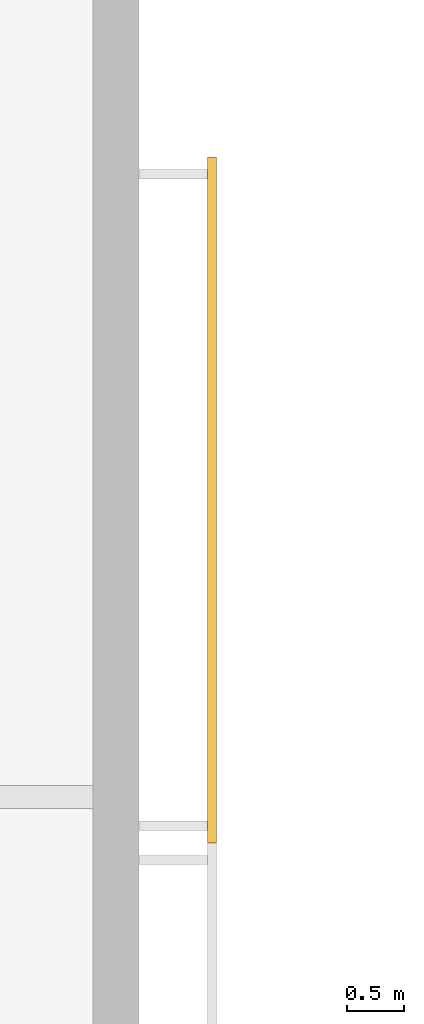
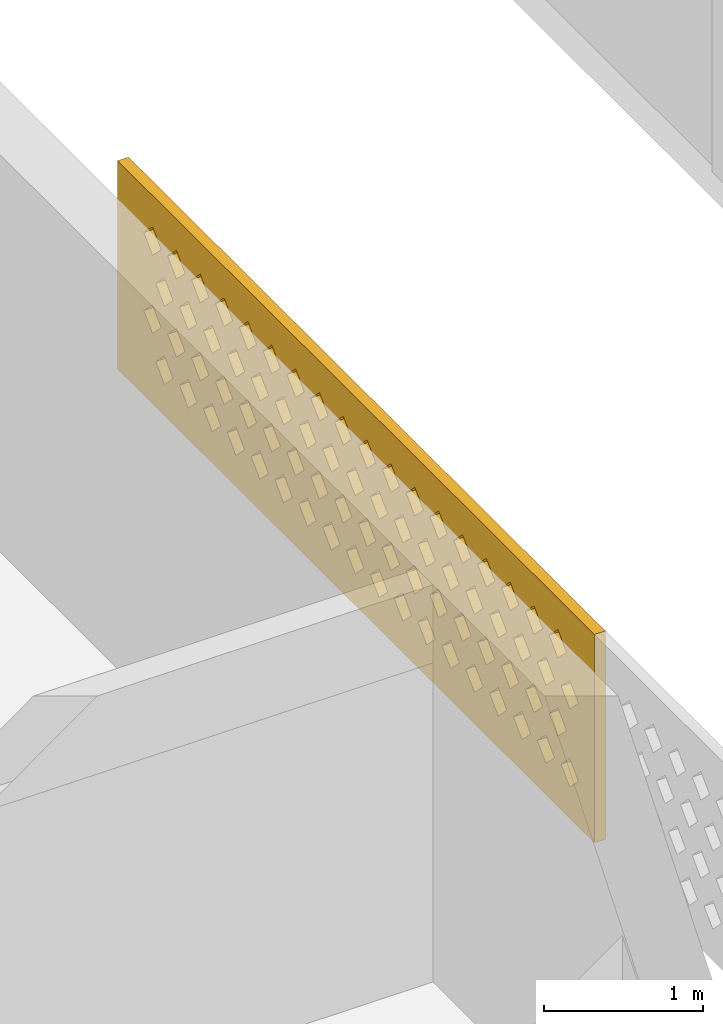
# One storey, part 14 of 18: 1 covering.
"""IFC4 building model written with IfcOpenShell, lengths in metres."""

from ifc_helpers import new_model, si_unit, direction, frame, origin, place, context, subcontext, project, spatial, polyline, outline, extrude, source, transform, mapped, material, material_profile, profile_set, type_object, element, save


model = new_model("IFC4")

# Units and contexts
model_context = context("Model", 3, precision=1e-05, world=origin(), true_north=direction((0.0, 1.0)))
body_context = subcontext(model_context, "Body", "Model", "MODEL_VIEW")
ifc_project = project(units=[si_unit("LENGTHUNIT", "METRE"), si_unit("AREAUNIT", "SQUARE_METRE"), si_unit("VOLUMEUNIT", "CUBIC_METRE"), si_unit("PLANEANGLEUNIT", "RADIAN"), si_unit("MASSUNIT", "GRAM", prefix="KILO")], contexts=[model_context])

# Site, building, storey
site_placement = place(None, origin())
site = spatial("IfcSite", under=ifc_project, at=site_placement, CompositionType="ELEMENT")
building_placement = place(site_placement, origin())
building = spatial("IfcBuilding", under=site, at=building_placement, Name="Poui Terraces", CompositionType="ELEMENT")
storey_placement = place(building_placement, frame((0.0, 0.0, 279.0)))
storey = spatial("IfcBuildingStorey", under=building, at=storey_placement, Name="L77 CROWN", CompositionType="ELEMENT", Elevation=279.0)

# Covering
ifc_material = material(Name="Terracotta screen", Category="masonry")
ifc_material_profile = material_profile(ifc_material, outline(polyline([(-3.0, -0.800048828125), (3.0, -0.800048828125), (3.0, 0.800048828125), (-3.0, 0.800048828125), (-3.0, -0.800048828125)]), holes=[polyline([(-2.800048828125, -0.449951171875), (-2.68994140625, -0.56005859375), (-2.580078125, -0.449951171875), (-2.68994140625, -0.340087890625), (-2.800048828125, -0.449951171875)]), polyline([(-2.5, -0.449951171875), (-2.389892578125, -0.56005859375), (-2.280029296875, -0.449951171875), (-2.389892578125, -0.340087890625), (-2.5, -0.449951171875)]), polyline([(-2.199951171875, -0.449951171875), (-2.090087890625, -0.56005859375), (-1.97998046875, -0.449951171875), (-2.090087890625, -0.340087890625), (-2.199951171875, -0.449951171875)]), polyline([(-1.89990234375, -0.449951171875), (-1.7900390625, -0.56005859375), (-1.679931640625, -0.449951171875), (-1.7900390625, -0.340087890625), (-1.89990234375, -0.449951171875)]), polyline([(-1.60009765625, -0.449951171875), (-1.489990234375, -0.56005859375), (-1.3798828125, -0.449951171875), (-1.489990234375, -0.340087890625), (-1.60009765625, -0.449951171875)]), polyline([(-1.300048828125, -0.449951171875), (-1.18994140625, -0.56005859375), (-1.080078125, -0.449951171875), (-1.18994140625, -0.340087890625), (-1.300048828125, -0.449951171875)]), polyline([(-1.0, -0.449951171875), (-0.889892578125, -0.56005859375), (-0.780029296875, -0.449951171875), (-0.889892578125, -0.340087890625), (-1.0, -0.449951171875)]), polyline([(-0.699951171875, -0.449951171875), (-0.590087890625, -0.56005859375), (-0.47998046875, -0.449951171875), (-0.590087890625, -0.340087890625), (-0.699951171875, -0.449951171875)]), polyline([(-0.39990234375, -0.449951171875), (-0.2900390625, -0.56005859375), (-0.179931640625, -0.449951171875), (-0.2900390625, -0.340087890625), (-0.39990234375, -0.449951171875)]), polyline([(-0.10009765625, -0.449951171875), (0.010009765625, -0.56005859375), (0.1201171875, -0.449951171875), (0.010009765625, -0.340087890625), (-0.10009765625, -0.449951171875)]), polyline([(0.199951171875, -0.449951171875), (0.31005859375, -0.56005859375), (0.419921875, -0.449951171875), (0.31005859375, -0.340087890625), (0.199951171875, -0.449951171875)]), polyline([(0.5, -0.449951171875), (0.610107421875, -0.56005859375), (0.719970703125, -0.449951171875), (0.610107421875, -0.340087890625), (0.5, -0.449951171875)]), polyline([(0.800048828125, -0.449951171875), (0.909912109375, -0.56005859375), (1.02001953125, -0.449951171875), (0.909912109375, -0.340087890625), (0.800048828125, -0.449951171875)]), polyline([(1.10009765625, -0.449951171875), (1.2099609375, -0.56005859375), (1.320068359375, -0.449951171875), (1.2099609375, -0.340087890625), (1.10009765625, -0.449951171875)]), polyline([(1.39990234375, -0.449951171875), (1.510009765625, -0.56005859375), (1.6201171875, -0.449951171875), (1.510009765625, -0.340087890625), (1.39990234375, -0.449951171875)]), polyline([(1.699951171875, -0.449951171875), (1.81005859375, -0.56005859375), (1.919921875, -0.449951171875), (1.81005859375, -0.340087890625), (1.699951171875, -0.449951171875)]), polyline([(2.0, -0.449951171875), (2.110107421875, -0.56005859375), (2.219970703125, -0.449951171875), (2.110107421875, -0.340087890625), (2.0, -0.449951171875)]), polyline([(2.300048828125, -0.449951171875), (2.409912109375, -0.56005859375), (2.52001953125, -0.449951171875), (2.409912109375, -0.340087890625), (2.300048828125, -0.449951171875)]), polyline([(-2.64990234375, -0.14990234375), (-2.5400390625, -0.260009765625), (-2.429931640625, -0.14990234375), (-2.5400390625, -0.0400390625), (-2.64990234375, -0.14990234375)]), polyline([(-2.35009765625, -0.14990234375), (-2.239990234375, -0.260009765625), (-2.1298828125, -0.14990234375), (-2.239990234375, -0.0400390625), (-2.35009765625, -0.14990234375)]), polyline([(-2.050048828125, -0.14990234375), (-1.93994140625, -0.260009765625), (-1.830078125, -0.14990234375), (-1.93994140625, -0.0400390625), (-2.050048828125, -0.14990234375)]), polyline([(-1.75, -0.14990234375), (-1.639892578125, -0.260009765625), (-1.530029296875, -0.14990234375), (-1.639892578125, -0.0400390625), (-1.75, -0.14990234375)]), polyline([(-1.449951171875, -0.14990234375), (-1.340087890625, -0.260009765625), (-1.22998046875, -0.14990234375), (-1.340087890625, -0.0400390625), (-1.449951171875, -0.14990234375)]), polyline([(-1.14990234375, -0.14990234375), (-1.0400390625, -0.260009765625), (-0.929931640625, -0.14990234375), (-1.0400390625, -0.0400390625), (-1.14990234375, -0.14990234375)]), polyline([(-0.85009765625, -0.14990234375), (-0.739990234375, -0.260009765625), (-0.6298828125, -0.14990234375), (-0.739990234375, -0.0400390625), (-0.85009765625, -0.14990234375)]), polyline([(-0.550048828125, -0.14990234375), (-0.43994140625, -0.260009765625), (-0.330078125, -0.14990234375), (-0.43994140625, -0.0400390625), (-0.550048828125, -0.14990234375)]), polyline([(-0.25, -0.14990234375), (-0.139892578125, -0.260009765625), (-0.030029296875, -0.14990234375), (-0.139892578125, -0.0400390625), (-0.25, -0.14990234375)]), polyline([(0.050048828125, -0.14990234375), (0.159912109375, -0.260009765625), (0.27001953125, -0.14990234375), (0.159912109375, -0.0400390625), (0.050048828125, -0.14990234375)]), polyline([(0.35009765625, -0.14990234375), (0.4599609375, -0.260009765625), (0.570068359375, -0.14990234375), (0.4599609375, -0.0400390625), (0.35009765625, -0.14990234375)]), polyline([(0.64990234375, -0.14990234375), (0.760009765625, -0.260009765625), (0.8701171875, -0.14990234375), (0.760009765625, -0.0400390625), (0.64990234375, -0.14990234375)]), polyline([(0.949951171875, -0.14990234375), (1.06005859375, -0.260009765625), (1.169921875, -0.14990234375), (1.06005859375, -0.0400390625), (0.949951171875, -0.14990234375)]), polyline([(1.25, -0.14990234375), (1.360107421875, -0.260009765625), (1.469970703125, -0.14990234375), (1.360107421875, -0.0400390625), (1.25, -0.14990234375)]), polyline([(1.550048828125, -0.14990234375), (1.659912109375, -0.260009765625), (1.77001953125, -0.14990234375), (1.659912109375, -0.0400390625), (1.550048828125, -0.14990234375)]), polyline([(1.85009765625, -0.14990234375), (1.9599609375, -0.260009765625), (2.070068359375, -0.14990234375), (1.9599609375, -0.0400390625), (1.85009765625, -0.14990234375)]), polyline([(2.14990234375, -0.14990234375), (2.260009765625, -0.260009765625), (2.3701171875, -0.14990234375), (2.260009765625, -0.0400390625), (2.14990234375, -0.14990234375)]), polyline([(2.449951171875, -0.14990234375), (2.56005859375, -0.260009765625), (2.669921875, -0.14990234375), (2.56005859375, -0.0400390625), (2.449951171875, -0.14990234375)]), polyline([(-2.800048828125, 0.14990234375), (-2.68994140625, 0.0400390625), (-2.580078125, 0.14990234375), (-2.68994140625, 0.260009765625), (-2.800048828125, 0.14990234375)]), polyline([(-2.5, 0.14990234375), (-2.389892578125, 0.0400390625), (-2.280029296875, 0.14990234375), (-2.389892578125, 0.260009765625), (-2.5, 0.14990234375)]), polyline([(-2.199951171875, 0.14990234375), (-2.090087890625, 0.0400390625), (-1.97998046875, 0.14990234375), (-2.090087890625, 0.260009765625), (-2.199951171875, 0.14990234375)]), polyline([(-1.89990234375, 0.14990234375), (-1.7900390625, 0.0400390625), (-1.679931640625, 0.14990234375), (-1.7900390625, 0.260009765625), (-1.89990234375, 0.14990234375)]), polyline([(-1.60009765625, 0.14990234375), (-1.489990234375, 0.0400390625), (-1.3798828125, 0.14990234375), (-1.489990234375, 0.260009765625), (-1.60009765625, 0.14990234375)]), polyline([(-1.300048828125, 0.14990234375), (-1.18994140625, 0.0400390625), (-1.080078125, 0.14990234375), (-1.18994140625, 0.260009765625), (-1.300048828125, 0.14990234375)]), polyline([(-1.0, 0.14990234375), (-0.889892578125, 0.0400390625), (-0.780029296875, 0.14990234375), (-0.889892578125, 0.260009765625), (-1.0, 0.14990234375)]), polyline([(-0.699951171875, 0.14990234375), (-0.590087890625, 0.0400390625), (-0.47998046875, 0.14990234375), (-0.590087890625, 0.260009765625), (-0.699951171875, 0.14990234375)]), polyline([(-0.39990234375, 0.14990234375), (-0.2900390625, 0.0400390625), (-0.179931640625, 0.14990234375), (-0.2900390625, 0.260009765625), (-0.39990234375, 0.14990234375)]), polyline([(-0.10009765625, 0.14990234375), (0.010009765625, 0.0400390625), (0.1201171875, 0.14990234375), (0.010009765625, 0.260009765625), (-0.10009765625, 0.14990234375)]), polyline([(0.199951171875, 0.14990234375), (0.31005859375, 0.0400390625), (0.419921875, 0.14990234375), (0.31005859375, 0.260009765625), (0.199951171875, 0.14990234375)]), polyline([(0.5, 0.14990234375), (0.610107421875, 0.0400390625), (0.719970703125, 0.14990234375), (0.610107421875, 0.260009765625), (0.5, 0.14990234375)]), polyline([(0.800048828125, 0.14990234375), (0.909912109375, 0.0400390625), (1.02001953125, 0.14990234375), (0.909912109375, 0.260009765625), (0.800048828125, 0.14990234375)]), polyline([(1.10009765625, 0.14990234375), (1.2099609375, 0.0400390625), (1.320068359375, 0.14990234375), (1.2099609375, 0.260009765625), (1.10009765625, 0.14990234375)]), polyline([(1.39990234375, 0.14990234375), (1.510009765625, 0.0400390625), (1.6201171875, 0.14990234375), (1.510009765625, 0.260009765625), (1.39990234375, 0.14990234375)]), polyline([(1.699951171875, 0.14990234375), (1.81005859375, 0.0400390625), (1.919921875, 0.14990234375), (1.81005859375, 0.260009765625), (1.699951171875, 0.14990234375)]), polyline([(2.0, 0.14990234375), (2.110107421875, 0.0400390625), (2.219970703125, 0.14990234375), (2.110107421875, 0.260009765625), (2.0, 0.14990234375)]), polyline([(2.300048828125, 0.14990234375), (2.409912109375, 0.0400390625), (2.52001953125, 0.14990234375), (2.409912109375, 0.260009765625), (2.300048828125, 0.14990234375)]), polyline([(-2.64990234375, 0.449951171875), (-2.5400390625, 0.340087890625), (-2.429931640625, 0.449951171875), (-2.5400390625, 0.56005859375), (-2.64990234375, 0.449951171875)]), polyline([(-2.35009765625, 0.449951171875), (-2.239990234375, 0.340087890625), (-2.1298828125, 0.449951171875), (-2.239990234375, 0.56005859375), (-2.35009765625, 0.449951171875)]), polyline([(-2.050048828125, 0.449951171875), (-1.93994140625, 0.340087890625), (-1.830078125, 0.449951171875), (-1.93994140625, 0.56005859375), (-2.050048828125, 0.449951171875)]), polyline([(-1.75, 0.449951171875), (-1.639892578125, 0.340087890625), (-1.530029296875, 0.449951171875), (-1.639892578125, 0.56005859375), (-1.75, 0.449951171875)]), polyline([(-1.449951171875, 0.449951171875), (-1.340087890625, 0.340087890625), (-1.22998046875, 0.449951171875), (-1.340087890625, 0.56005859375), (-1.449951171875, 0.449951171875)]), polyline([(-1.14990234375, 0.449951171875), (-1.0400390625, 0.340087890625), (-0.929931640625, 0.449951171875), (-1.0400390625, 0.56005859375), (-1.14990234375, 0.449951171875)]), polyline([(-0.85009765625, 0.449951171875), (-0.739990234375, 0.340087890625), (-0.6298828125, 0.449951171875), (-0.739990234375, 0.56005859375), (-0.85009765625, 0.449951171875)]), polyline([(-0.550048828125, 0.449951171875), (-0.43994140625, 0.340087890625), (-0.330078125, 0.449951171875), (-0.43994140625, 0.56005859375), (-0.550048828125, 0.449951171875)]), polyline([(-0.25, 0.449951171875), (-0.139892578125, 0.340087890625), (-0.030029296875, 0.449951171875), (-0.139892578125, 0.56005859375), (-0.25, 0.449951171875)]), polyline([(0.050048828125, 0.449951171875), (0.159912109375, 0.340087890625), (0.27001953125, 0.449951171875), (0.159912109375, 0.56005859375), (0.050048828125, 0.449951171875)]), polyline([(0.35009765625, 0.449951171875), (0.4599609375, 0.340087890625), (0.570068359375, 0.449951171875), (0.4599609375, 0.56005859375), (0.35009765625, 0.449951171875)]), polyline([(0.64990234375, 0.449951171875), (0.760009765625, 0.340087890625), (0.8701171875, 0.449951171875), (0.760009765625, 0.56005859375), (0.64990234375, 0.449951171875)]), polyline([(0.949951171875, 0.449951171875), (1.06005859375, 0.340087890625), (1.169921875, 0.449951171875), (1.06005859375, 0.56005859375), (0.949951171875, 0.449951171875)]), polyline([(1.25, 0.449951171875), (1.360107421875, 0.340087890625), (1.469970703125, 0.449951171875), (1.360107421875, 0.56005859375), (1.25, 0.449951171875)]), polyline([(1.550048828125, 0.449951171875), (1.659912109375, 0.340087890625), (1.77001953125, 0.449951171875), (1.659912109375, 0.56005859375), (1.550048828125, 0.449951171875)]), polyline([(1.85009765625, 0.449951171875), (1.9599609375, 0.340087890625), (2.070068359375, 0.449951171875), (1.9599609375, 0.56005859375), (1.85009765625, 0.449951171875)]), polyline([(2.14990234375, 0.449951171875), (2.260009765625, 0.340087890625), (2.3701171875, 0.449951171875), (2.260009765625, 0.56005859375), (2.14990234375, 0.449951171875)]), polyline([(2.449951171875, 0.449951171875), (2.56005859375, 0.340087890625), (2.669921875, 0.449951171875), (2.56005859375, 0.56005859375), (2.449951171875, 0.449951171875)])]), Name="TERRACOTTA SOLAR SCREEN 6000X1600")
ifc_profile_set = profile_set([ifc_material_profile], Name="Terracotta screen")
covering_type = type_object("IfcCoveringType", Name="TERRACOTTA SOLAR SCREEN 6000X1600", PredefinedType="CLADDING", material=ifc_profile_set)
shared_shape = source(origin(), body_context, "Body", "SweptSolid", [
    extrude(outline(polyline([(-3.0, -0.800048828125), (3.0, -0.800048828125), (3.0, 0.800048828125), (-3.0, 0.800048828125), (-3.0, -0.800048828125)]), holes=[polyline([(-2.800048828125, -0.449951171875), (-2.68994140625, -0.56005859375), (-2.580078125, -0.449951171875), (-2.68994140625, -0.340087890625), (-2.800048828125, -0.449951171875)]), polyline([(-2.5, -0.449951171875), (-2.389892578125, -0.56005859375), (-2.280029296875, -0.449951171875), (-2.389892578125, -0.340087890625), (-2.5, -0.449951171875)]), polyline([(-2.199951171875, -0.449951171875), (-2.090087890625, -0.56005859375), (-1.97998046875, -0.449951171875), (-2.090087890625, -0.340087890625), (-2.199951171875, -0.449951171875)]), polyline([(-1.89990234375, -0.449951171875), (-1.7900390625, -0.56005859375), (-1.679931640625, -0.449951171875), (-1.7900390625, -0.340087890625), (-1.89990234375, -0.449951171875)]), polyline([(-1.60009765625, -0.449951171875), (-1.489990234375, -0.56005859375), (-1.3798828125, -0.449951171875), (-1.489990234375, -0.340087890625), (-1.60009765625, -0.449951171875)]), polyline([(-1.300048828125, -0.449951171875), (-1.18994140625, -0.56005859375), (-1.080078125, -0.449951171875), (-1.18994140625, -0.340087890625), (-1.300048828125, -0.449951171875)]), polyline([(-1.0, -0.449951171875), (-0.889892578125, -0.56005859375), (-0.780029296875, -0.449951171875), (-0.889892578125, -0.340087890625), (-1.0, -0.449951171875)]), polyline([(-0.699951171875, -0.449951171875), (-0.590087890625, -0.56005859375), (-0.47998046875, -0.449951171875), (-0.590087890625, -0.340087890625), (-0.699951171875, -0.449951171875)]), polyline([(-0.39990234375, -0.449951171875), (-0.2900390625, -0.56005859375), (-0.179931640625, -0.449951171875), (-0.2900390625, -0.340087890625), (-0.39990234375, -0.449951171875)]), polyline([(-0.10009765625, -0.449951171875), (0.010009765625, -0.56005859375), (0.1201171875, -0.449951171875), (0.010009765625, -0.340087890625), (-0.10009765625, -0.449951171875)]), polyline([(0.199951171875, -0.449951171875), (0.31005859375, -0.56005859375), (0.419921875, -0.449951171875), (0.31005859375, -0.340087890625), (0.199951171875, -0.449951171875)]), polyline([(0.5, -0.449951171875), (0.610107421875, -0.56005859375), (0.719970703125, -0.449951171875), (0.610107421875, -0.340087890625), (0.5, -0.449951171875)]), polyline([(0.800048828125, -0.449951171875), (0.909912109375, -0.56005859375), (1.02001953125, -0.449951171875), (0.909912109375, -0.340087890625), (0.800048828125, -0.449951171875)]), polyline([(1.10009765625, -0.449951171875), (1.2099609375, -0.56005859375), (1.320068359375, -0.449951171875), (1.2099609375, -0.340087890625), (1.10009765625, -0.449951171875)]), polyline([(1.39990234375, -0.449951171875), (1.510009765625, -0.56005859375), (1.6201171875, -0.449951171875), (1.510009765625, -0.340087890625), (1.39990234375, -0.449951171875)]), polyline([(1.699951171875, -0.449951171875), (1.81005859375, -0.56005859375), (1.919921875, -0.449951171875), (1.81005859375, -0.340087890625), (1.699951171875, -0.449951171875)]), polyline([(2.0, -0.449951171875), (2.110107421875, -0.56005859375), (2.219970703125, -0.449951171875), (2.110107421875, -0.340087890625), (2.0, -0.449951171875)]), polyline([(2.300048828125, -0.449951171875), (2.409912109375, -0.56005859375), (2.52001953125, -0.449951171875), (2.409912109375, -0.340087890625), (2.300048828125, -0.449951171875)]), polyline([(-2.64990234375, -0.14990234375), (-2.5400390625, -0.260009765625), (-2.429931640625, -0.14990234375), (-2.5400390625, -0.0400390625), (-2.64990234375, -0.14990234375)]), polyline([(-2.35009765625, -0.14990234375), (-2.239990234375, -0.260009765625), (-2.1298828125, -0.14990234375), (-2.239990234375, -0.0400390625), (-2.35009765625, -0.14990234375)]), polyline([(-2.050048828125, -0.14990234375), (-1.93994140625, -0.260009765625), (-1.830078125, -0.14990234375), (-1.93994140625, -0.0400390625), (-2.050048828125, -0.14990234375)]), polyline([(-1.75, -0.14990234375), (-1.639892578125, -0.260009765625), (-1.530029296875, -0.14990234375), (-1.639892578125, -0.0400390625), (-1.75, -0.14990234375)]), polyline([(-1.449951171875, -0.14990234375), (-1.340087890625, -0.260009765625), (-1.22998046875, -0.14990234375), (-1.340087890625, -0.0400390625), (-1.449951171875, -0.14990234375)]), polyline([(-1.14990234375, -0.14990234375), (-1.0400390625, -0.260009765625), (-0.929931640625, -0.14990234375), (-1.0400390625, -0.0400390625), (-1.14990234375, -0.14990234375)]), polyline([(-0.85009765625, -0.14990234375), (-0.739990234375, -0.260009765625), (-0.6298828125, -0.14990234375), (-0.739990234375, -0.0400390625), (-0.85009765625, -0.14990234375)]), polyline([(-0.550048828125, -0.14990234375), (-0.43994140625, -0.260009765625), (-0.330078125, -0.14990234375), (-0.43994140625, -0.0400390625), (-0.550048828125, -0.14990234375)]), polyline([(-0.25, -0.14990234375), (-0.139892578125, -0.260009765625), (-0.030029296875, -0.14990234375), (-0.139892578125, -0.0400390625), (-0.25, -0.14990234375)]), polyline([(0.050048828125, -0.14990234375), (0.159912109375, -0.260009765625), (0.27001953125, -0.14990234375), (0.159912109375, -0.0400390625), (0.050048828125, -0.14990234375)]), polyline([(0.35009765625, -0.14990234375), (0.4599609375, -0.260009765625), (0.570068359375, -0.14990234375), (0.4599609375, -0.0400390625), (0.35009765625, -0.14990234375)]), polyline([(0.64990234375, -0.14990234375), (0.760009765625, -0.260009765625), (0.8701171875, -0.14990234375), (0.760009765625, -0.0400390625), (0.64990234375, -0.14990234375)]), polyline([(0.949951171875, -0.14990234375), (1.06005859375, -0.260009765625), (1.169921875, -0.14990234375), (1.06005859375, -0.0400390625), (0.949951171875, -0.14990234375)]), polyline([(1.25, -0.14990234375), (1.360107421875, -0.260009765625), (1.469970703125, -0.14990234375), (1.360107421875, -0.0400390625), (1.25, -0.14990234375)]), polyline([(1.550048828125, -0.14990234375), (1.659912109375, -0.260009765625), (1.77001953125, -0.14990234375), (1.659912109375, -0.0400390625), (1.550048828125, -0.14990234375)]), polyline([(1.85009765625, -0.14990234375), (1.9599609375, -0.260009765625), (2.070068359375, -0.14990234375), (1.9599609375, -0.0400390625), (1.85009765625, -0.14990234375)]), polyline([(2.14990234375, -0.14990234375), (2.260009765625, -0.260009765625), (2.3701171875, -0.14990234375), (2.260009765625, -0.0400390625), (2.14990234375, -0.14990234375)]), polyline([(2.449951171875, -0.14990234375), (2.56005859375, -0.260009765625), (2.669921875, -0.14990234375), (2.56005859375, -0.0400390625), (2.449951171875, -0.14990234375)]), polyline([(-2.800048828125, 0.14990234375), (-2.68994140625, 0.0400390625), (-2.580078125, 0.14990234375), (-2.68994140625, 0.260009765625), (-2.800048828125, 0.14990234375)]), polyline([(-2.5, 0.14990234375), (-2.389892578125, 0.0400390625), (-2.280029296875, 0.14990234375), (-2.389892578125, 0.260009765625), (-2.5, 0.14990234375)]), polyline([(-2.199951171875, 0.14990234375), (-2.090087890625, 0.0400390625), (-1.97998046875, 0.14990234375), (-2.090087890625, 0.260009765625), (-2.199951171875, 0.14990234375)]), polyline([(-1.89990234375, 0.14990234375), (-1.7900390625, 0.0400390625), (-1.679931640625, 0.14990234375), (-1.7900390625, 0.260009765625), (-1.89990234375, 0.14990234375)]), polyline([(-1.60009765625, 0.14990234375), (-1.489990234375, 0.0400390625), (-1.3798828125, 0.14990234375), (-1.489990234375, 0.260009765625), (-1.60009765625, 0.14990234375)]), polyline([(-1.300048828125, 0.14990234375), (-1.18994140625, 0.0400390625), (-1.080078125, 0.14990234375), (-1.18994140625, 0.260009765625), (-1.300048828125, 0.14990234375)]), polyline([(-1.0, 0.14990234375), (-0.889892578125, 0.0400390625), (-0.780029296875, 0.14990234375), (-0.889892578125, 0.260009765625), (-1.0, 0.14990234375)]), polyline([(-0.699951171875, 0.14990234375), (-0.590087890625, 0.0400390625), (-0.47998046875, 0.14990234375), (-0.590087890625, 0.260009765625), (-0.699951171875, 0.14990234375)]), polyline([(-0.39990234375, 0.14990234375), (-0.2900390625, 0.0400390625), (-0.179931640625, 0.14990234375), (-0.2900390625, 0.260009765625), (-0.39990234375, 0.14990234375)]), polyline([(-0.10009765625, 0.14990234375), (0.010009765625, 0.0400390625), (0.1201171875, 0.14990234375), (0.010009765625, 0.260009765625), (-0.10009765625, 0.14990234375)]), polyline([(0.199951171875, 0.14990234375), (0.31005859375, 0.0400390625), (0.419921875, 0.14990234375), (0.31005859375, 0.260009765625), (0.199951171875, 0.14990234375)]), polyline([(0.5, 0.14990234375), (0.610107421875, 0.0400390625), (0.719970703125, 0.14990234375), (0.610107421875, 0.260009765625), (0.5, 0.14990234375)]), polyline([(0.800048828125, 0.14990234375), (0.909912109375, 0.0400390625), (1.02001953125, 0.14990234375), (0.909912109375, 0.260009765625), (0.800048828125, 0.14990234375)]), polyline([(1.10009765625, 0.14990234375), (1.2099609375, 0.0400390625), (1.320068359375, 0.14990234375), (1.2099609375, 0.260009765625), (1.10009765625, 0.14990234375)]), polyline([(1.39990234375, 0.14990234375), (1.510009765625, 0.0400390625), (1.6201171875, 0.14990234375), (1.510009765625, 0.260009765625), (1.39990234375, 0.14990234375)]), polyline([(1.699951171875, 0.14990234375), (1.81005859375, 0.0400390625), (1.919921875, 0.14990234375), (1.81005859375, 0.260009765625), (1.699951171875, 0.14990234375)]), polyline([(2.0, 0.14990234375), (2.110107421875, 0.0400390625), (2.219970703125, 0.14990234375), (2.110107421875, 0.260009765625), (2.0, 0.14990234375)]), polyline([(2.300048828125, 0.14990234375), (2.409912109375, 0.0400390625), (2.52001953125, 0.14990234375), (2.409912109375, 0.260009765625), (2.300048828125, 0.14990234375)]), polyline([(-2.64990234375, 0.449951171875), (-2.5400390625, 0.340087890625), (-2.429931640625, 0.449951171875), (-2.5400390625, 0.56005859375), (-2.64990234375, 0.449951171875)]), polyline([(-2.35009765625, 0.449951171875), (-2.239990234375, 0.340087890625), (-2.1298828125, 0.449951171875), (-2.239990234375, 0.56005859375), (-2.35009765625, 0.449951171875)]), polyline([(-2.050048828125, 0.449951171875), (-1.93994140625, 0.340087890625), (-1.830078125, 0.449951171875), (-1.93994140625, 0.56005859375), (-2.050048828125, 0.449951171875)]), polyline([(-1.75, 0.449951171875), (-1.639892578125, 0.340087890625), (-1.530029296875, 0.449951171875), (-1.639892578125, 0.56005859375), (-1.75, 0.449951171875)]), polyline([(-1.449951171875, 0.449951171875), (-1.340087890625, 0.340087890625), (-1.22998046875, 0.449951171875), (-1.340087890625, 0.56005859375), (-1.449951171875, 0.449951171875)]), polyline([(-1.14990234375, 0.449951171875), (-1.0400390625, 0.340087890625), (-0.929931640625, 0.449951171875), (-1.0400390625, 0.56005859375), (-1.14990234375, 0.449951171875)]), polyline([(-0.85009765625, 0.449951171875), (-0.739990234375, 0.340087890625), (-0.6298828125, 0.449951171875), (-0.739990234375, 0.56005859375), (-0.85009765625, 0.449951171875)]), polyline([(-0.550048828125, 0.449951171875), (-0.43994140625, 0.340087890625), (-0.330078125, 0.449951171875), (-0.43994140625, 0.56005859375), (-0.550048828125, 0.449951171875)]), polyline([(-0.25, 0.449951171875), (-0.139892578125, 0.340087890625), (-0.030029296875, 0.449951171875), (-0.139892578125, 0.56005859375), (-0.25, 0.449951171875)]), polyline([(0.050048828125, 0.449951171875), (0.159912109375, 0.340087890625), (0.27001953125, 0.449951171875), (0.159912109375, 0.56005859375), (0.050048828125, 0.449951171875)]), polyline([(0.35009765625, 0.449951171875), (0.4599609375, 0.340087890625), (0.570068359375, 0.449951171875), (0.4599609375, 0.56005859375), (0.35009765625, 0.449951171875)]), polyline([(0.64990234375, 0.449951171875), (0.760009765625, 0.340087890625), (0.8701171875, 0.449951171875), (0.760009765625, 0.56005859375), (0.64990234375, 0.449951171875)]), polyline([(0.949951171875, 0.449951171875), (1.06005859375, 0.340087890625), (1.169921875, 0.449951171875), (1.06005859375, 0.56005859375), (0.949951171875, 0.449951171875)]), polyline([(1.25, 0.449951171875), (1.360107421875, 0.340087890625), (1.469970703125, 0.449951171875), (1.360107421875, 0.56005859375), (1.25, 0.449951171875)]), polyline([(1.550048828125, 0.449951171875), (1.659912109375, 0.340087890625), (1.77001953125, 0.449951171875), (1.659912109375, 0.56005859375), (1.550048828125, 0.449951171875)]), polyline([(1.85009765625, 0.449951171875), (1.9599609375, 0.340087890625), (2.070068359375, 0.449951171875), (1.9599609375, 0.56005859375), (1.85009765625, 0.449951171875)]), polyline([(2.14990234375, 0.449951171875), (2.260009765625, 0.340087890625), (2.3701171875, 0.449951171875), (2.260009765625, 0.56005859375), (2.14990234375, 0.449951171875)]), polyline([(2.449951171875, 0.449951171875), (2.56005859375, 0.340087890625), (2.669921875, 0.449951171875), (2.56005859375, 0.56005859375), (2.449951171875, 0.449951171875)])]), origin(), (0.0, 0.0, 1.0), 0.079833984375),
])
covering_placement = place(storey_placement, frame((48.800048828125, 33.0, 1.699951171875), z_axis=(1.0, 0.0, 0.0), x_axis=(0.0, 1.0, 0.0)))
element("IfcCovering", 1, at=covering_placement, inside=storey, type_object=covering_type, Name="SOLAR SCREEN", PredefinedType="CLADDING", context=body_context, shape_type="MappedRepresentation", body=[
    mapped(shared_shape, transform((0.0, 0.0, 0.0))),
])

save(model, "model.ifc")
